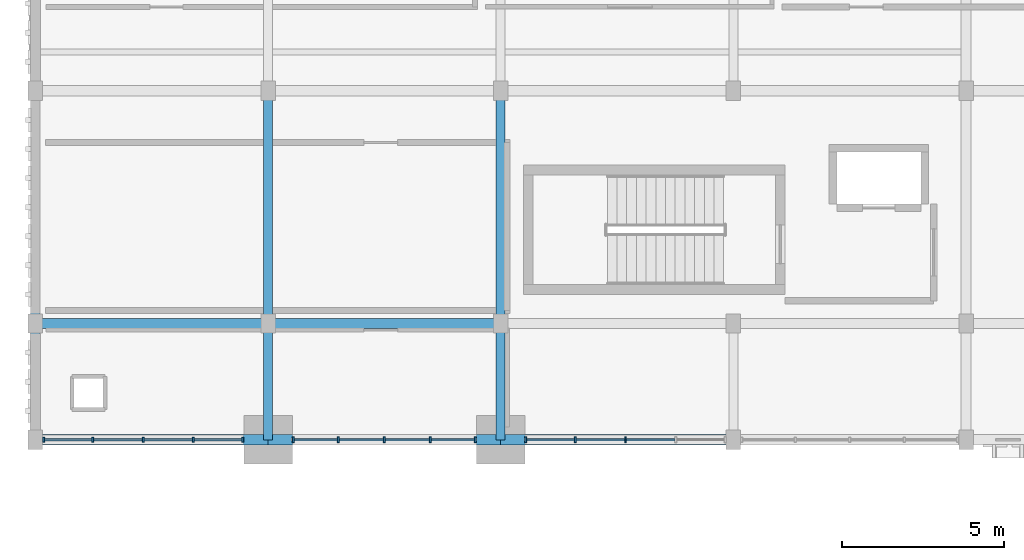
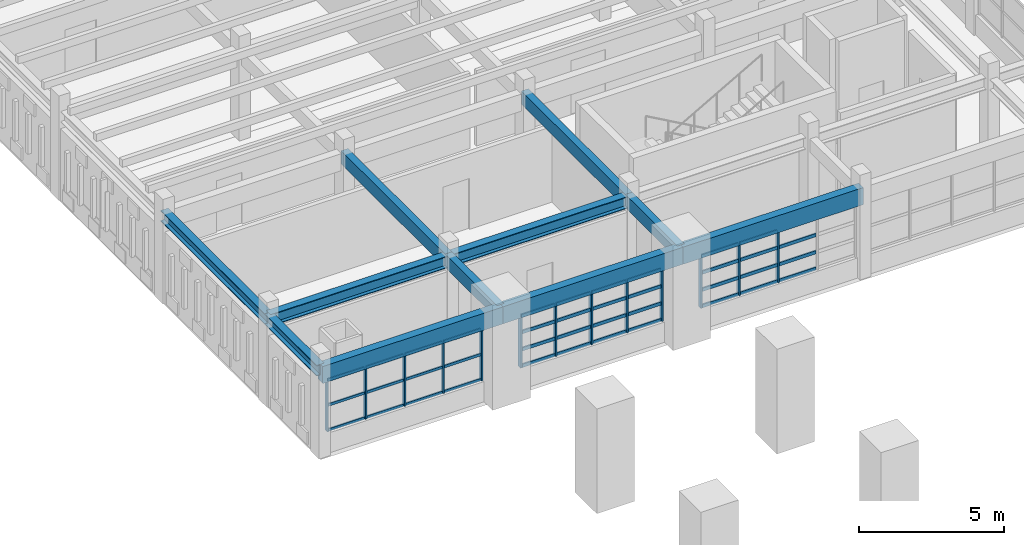
# One storey, part 12 of 69: 52 members, 11 beams, 3 elements without a shape of their own.
"""IFC4 building model written with IfcOpenShell, lengths in metres."""

from ifc_helpers import new_model, si_unit, direction, frame, origin, origin_2d, place, context, subcontext, project, spatial, rectangle, i_section, extrude, material, material_profile, profile_set, type_object, element, aggregate, save


model = new_model("IFC4")

# Units and contexts
model_context = context("Model", 3, precision=1e-05, world=origin(), true_north=direction((0.0, 1.0)))
body_context = subcontext(model_context, "Body", "Model", "MODEL_VIEW")
ifc_project = project(units=[si_unit("LENGTHUNIT", "METRE"), si_unit("AREAUNIT", "SQUARE_METRE"), si_unit("VOLUMEUNIT", "CUBIC_METRE"), si_unit("PLANEANGLEUNIT", "RADIAN"), si_unit("MASSUNIT", "GRAM", prefix="KILO")], contexts=[model_context])

# Site, building, storey
site_placement = place(None, origin())
site = spatial("IfcSite", under=ifc_project, at=site_placement, CompositionType="ELEMENT")
building_placement = place(site_placement, origin())
building = spatial("IfcBuilding", under=site, at=building_placement, Name="Nzembalo Square Collegiate School", CompositionType="ELEMENT")
storey_placement = place(building_placement, frame((0.0, 0.0, 5.10009765625)))
storey = spatial("IfcBuildingStorey", under=building, at=storey_placement, Name="L01", CompositionType="ELEMENT", Elevation=5.10009765625)

# Beams
ifc_material_1 = material(Name="Glulam GL32h", Category="wood")
ifc_material_profile_1 = material_profile(ifc_material_1, rectangle(XDim=0.320068359375, YDim=0.719970703125, at=origin_2d()), Name="GL32h 320x720")
ifc_profile_set_1 = profile_set([ifc_material_profile_1], Name="Glulam GL32h")
beam_type_1 = type_object("IfcBeamType", Name="B03", PredefinedType="BEAM", material=ifc_profile_set_1)
beam_1_placement = place(storey_placement, frame((8.39990234375, 79.199951171875, 3.389892578125), z_axis=(1.0, 0.0, 0.0), x_axis=(0.0, 1.0, 0.0)))
element("IfcBeam", 1, at=beam_1_placement, inside=storey, type_object=beam_type_1, Name="Beam B03 L01", PredefinedType="BEAM", context=body_context, shape_type="SweptSolid", body=[
    extrude(rectangle(XDim=0.320068359375, YDim=0.719970703125, at=origin_2d()), origin(), (0.0, 0.0, 1.0), 7.2001953125),
])
for number, where, z_axis, x_axis, name in (
    (2, (15.60009765625, 79.199951171875, 3.389892578125), (1.0, 0.0, 0.0), (0.0, 1.0, 0.0), "Beam B03 L01"),
    (3, (22.800048828125, 79.199951171875, 3.389892578125), (1.0, 0.0, 0.0), (0.0, 1.0, 0.0), "Beam B03 L01"),
):
    element("IfcBeam", number, at=place(storey_placement, frame(where, z_axis=z_axis, x_axis=x_axis)), inside=storey, type_object=beam_type_1, Name=name, PredefinedType="BEAM", context=body_context, shape_type="SweptSolid", body=[
        extrude(rectangle(XDim=0.320068359375, YDim=0.719970703125, at=origin_2d()), origin(), (0.0, 0.0, 1.0), 7.199951171875),
    ])
ifc_material_2 = material(Name="Glulam GL28h", Category="wood")
ifc_material_profile_2 = material_profile(ifc_material_2, rectangle(XDim=0.280029296875, YDim=0.56005859375, at=origin_2d()), Name="GL28h 280x560")
ifc_profile_set_2 = profile_set([ifc_material_profile_2], Name="Glulam GL28h")
beam_type_2 = type_object("IfcBeamType", Name="B05", PredefinedType="BEAM", material=ifc_profile_set_2)
beam_2_placement = place(storey_placement, frame((15.60009765625, 79.199951171875, 3.469970703125), z_axis=(0.0, 1.0, 0.0), x_axis=(-1.0, 0.0, 0.0)))
element("IfcBeam", 4, at=beam_2_placement, inside=storey, type_object=beam_type_2, Name="Beam B05 L01", PredefinedType="BEAM", context=body_context, shape_type="SweptSolid", body=[
    extrude(rectangle(XDim=0.280029296875, YDim=0.56005859375, at=origin_2d()), origin(), (0.0, 0.0, 1.0), 3.60009765625),
])
beam_3_placement = place(storey_placement, frame((15.60009765625, 82.800048828125, 3.469970703125), z_axis=(0.0, 1.0, 0.0), x_axis=(-1.0, 0.0, 0.0)))
element("IfcBeam", 5, at=beam_3_placement, inside=storey, type_object=beam_type_2, Name="Beam B05 L01", PredefinedType="BEAM", context=body_context, shape_type="SweptSolid", body=[
    extrude(rectangle(XDim=0.280029296875, YDim=0.56005859375, at=origin_2d()), origin(), (0.0, 0.0, 1.0), 7.199951171875),
])
beam_4_placement = place(storey_placement, frame((22.800048828125, 79.199951171875, 3.469970703125), z_axis=(0.0, 1.0, 0.0), x_axis=(-1.0, 0.0, 0.0)))
element("IfcBeam", 6, at=beam_4_placement, inside=storey, type_object=beam_type_2, Name="Beam B05 L01", PredefinedType="BEAM", context=body_context, shape_type="SweptSolid", body=[
    extrude(rectangle(XDim=0.280029296875, YDim=0.56005859375, at=origin_2d()), origin(), (0.0, 0.0, 1.0), 3.60009765625),
])
beam_5_placement = place(storey_placement, frame((22.800048828125, 82.800048828125, 3.469970703125), z_axis=(0.0, 1.0, 0.0), x_axis=(-1.0, 0.0, 0.0)))
element("IfcBeam", 7, at=beam_5_placement, inside=storey, type_object=beam_type_2, Name="Beam B05 L01", PredefinedType="BEAM", context=body_context, shape_type="SweptSolid", body=[
    extrude(rectangle(XDim=0.280029296875, YDim=0.56005859375, at=origin_2d()), origin(), (0.0, 0.0, 1.0), 7.199951171875),
])
ifc_material_3 = material(Name="Steel S355", Category="steel")
ifc_material_profile_3 = material_profile(ifc_material_3, i_section(OverallWidth=0.300048828125, OverallDepth=0.5, WebThickness=0.014404296875, FlangeThickness=0.028076171875, at=origin_2d()), Name="HEB 500")
ifc_profile_set_3 = profile_set([ifc_material_profile_3], Name="Steel S355")
beam_type_3 = type_object("IfcBeamType", Name="B07", PredefinedType="BEAM", material=ifc_profile_set_3)
beam_6_placement = place(storey_placement, frame((8.39990234375, 82.800048828125, 3.5), z_axis=(1.0, 0.0, 0.0), x_axis=(0.0, 1.0, 0.0)))
element("IfcBeam", 8, at=beam_6_placement, inside=storey, type_object=beam_type_3, Name="Beam B07 L01", PredefinedType="BEAM", context=body_context, shape_type="SweptSolid", body=[
    extrude(i_section(OverallWidth=0.300048828125, OverallDepth=0.5, WebThickness=0.014404296875, FlangeThickness=0.028076171875, at=origin_2d()), origin(), (0.0, 0.0, 1.0), 7.2001953125),
])
beam_7_placement = place(storey_placement, frame((15.60009765625, 82.800048828125, 3.5), z_axis=(1.0, 0.0, 0.0), x_axis=(0.0, 1.0, 0.0)))
element("IfcBeam", 9, at=beam_7_placement, inside=storey, type_object=beam_type_3, Name="Beam B07 L01", PredefinedType="BEAM", context=body_context, shape_type="SweptSolid", body=[
    extrude(i_section(OverallWidth=0.300048828125, OverallDepth=0.5, WebThickness=0.014404296875, FlangeThickness=0.028076171875, at=origin_2d()), origin(), (0.0, 0.0, 1.0), 7.199951171875),
])
ifc_material_4 = material(Name="Steel S355", Category="steel")
ifc_material_profile_4 = material_profile(ifc_material_4, i_section(OverallWidth=0.300048828125, OverallDepth=0.449951171875, WebThickness=0.013916015625, FlangeThickness=0.02587890625, at=origin_2d()), Name="HEB 450")
ifc_profile_set_4 = profile_set([ifc_material_profile_4], Name="Steel S355")
beam_type_4 = type_object("IfcBeamType", Name="B08", PredefinedType="BEAM", material=ifc_profile_set_4)
beam_8_placement = place(storey_placement, frame((8.39990234375, 79.199951171875, 3.52490234375), z_axis=(0.0, 1.0, 0.0), x_axis=(-1.0, 0.0, 0.0)))
element("IfcBeam", 10, at=beam_8_placement, inside=storey, type_object=beam_type_4, Name="Beam B08 L01", PredefinedType="BEAM", context=body_context, shape_type="SweptSolid", body=[
    extrude(i_section(OverallWidth=0.300048828125, OverallDepth=0.449951171875, WebThickness=0.013916015625, FlangeThickness=0.02587890625, at=origin_2d()), origin(), (0.0, 0.0, 1.0), 3.60009765625),
])
beam_9_placement = place(storey_placement, frame((8.39990234375, 82.800048828125, 3.52490234375), z_axis=(0.0, 1.0, 0.0), x_axis=(-1.0, 0.0, 0.0)))
element("IfcBeam", 11, at=beam_9_placement, inside=storey, type_object=beam_type_4, Name="Beam B08 L01", PredefinedType="BEAM", context=body_context, shape_type="SweptSolid", body=[
    extrude(i_section(OverallWidth=0.300048828125, OverallDepth=0.449951171875, WebThickness=0.013916015625, FlangeThickness=0.02587890625, at=origin_2d()), origin(), (0.0, 0.0, 1.0), 7.199951171875),
])

# Curtain wall, members
ifc_material_5 = material(Name="Aluminium 6060-T66", Category="aluminium")
curtain_wall_type_1 = type_object("IfcCurtainWallType", Name="CW-01", PredefinedType="USERDEFINED", material=ifc_material_5)
curtain_wall_1_placement = place(storey_placement, origin())
curtain_wall_1 = element("IfcCurtainWall", 12, at=curtain_wall_1_placement, inside=storey, type_object=curtain_wall_type_1, Name="Curtain wall CW-01 cw:L01:064", ObjectType="UNITISED", PredefinedType="USERDEFINED")
ifc_material_6 = material(Name="Aluminium 6060-T66", Category="aluminium")
ifc_material_profile_5 = material_profile(ifc_material_6, rectangle(XDim=0.06005859375, YDim=0.179931640625, at=origin_2d()), Name="ALU M60x180")
ifc_profile_set_5 = profile_set([ifc_material_profile_5], Name="Aluminium 6060-T66")
member_type_1 = type_object("IfcMemberType", Name="ML01", PredefinedType="MULLION", material=ifc_profile_set_5)
member_1_placement = place(storey_placement, frame((16.382080078125, 79.199951171875, 0.849853515625), z_axis=(0.0, 0.0, 1.0), x_axis=(1.0, 0.0, 0.0)))
member_1 = element("IfcMember", 13, at=member_1_placement, type_object=member_type_1, Name="ML01 mullion 1", PredefinedType="MULLION", context=body_context, shape_type="SweptSolid", body=[
    extrude(rectangle(XDim=0.06005859375, YDim=0.179931640625, at=origin_2d()), origin(), (0.0, 0.0, 1.0), 2.174072265625),
])
member_2_placement = place(storey_placement, frame((17.77587890625, 79.199951171875, 0.849853515625), z_axis=(0.0, 0.0, 1.0), x_axis=(1.0, 0.0, 0.0)))
member_2 = element("IfcMember", 14, at=member_2_placement, type_object=member_type_1, Name="ML01 mullion 2", PredefinedType="MULLION", context=body_context, shape_type="SweptSolid", body=[
    extrude(rectangle(XDim=0.06005859375, YDim=0.179931640625, at=origin_2d()), origin(), (0.0, 0.0, 1.0), 2.174072265625),
])
member_3_placement = place(storey_placement, frame((19.199951171875, 79.199951171875, 0.849853515625), z_axis=(0.0, 0.0, 1.0), x_axis=(1.0, 0.0, 0.0)))
member_3 = element("IfcMember", 15, at=member_3_placement, type_object=member_type_1, Name="ML01 mullion 3", PredefinedType="MULLION", context=body_context, shape_type="SweptSolid", body=[
    extrude(rectangle(XDim=0.06005859375, YDim=0.179931640625, at=origin_2d()), origin(), (0.0, 0.0, 1.0), 2.174072265625),
])
member_4_placement = place(storey_placement, frame((20.6240234375, 79.199951171875, 0.849853515625), z_axis=(0.0, 0.0, 1.0), x_axis=(1.0, 0.0, 0.0)))
member_4 = element("IfcMember", 16, at=member_4_placement, type_object=member_type_1, Name="ML01 mullion 4", PredefinedType="MULLION", context=body_context, shape_type="SweptSolid", body=[
    extrude(rectangle(XDim=0.06005859375, YDim=0.179931640625, at=origin_2d()), origin(), (0.0, 0.0, 1.0), 2.174072265625),
])
member_5_placement = place(storey_placement, frame((22.01806640625, 79.199951171875, 0.849853515625), z_axis=(0.0, 0.0, 1.0), x_axis=(1.0, 0.0, 0.0)))
member_5 = element("IfcMember", 17, at=member_5_placement, type_object=member_type_1, Name="ML01 mullion 5", PredefinedType="MULLION", context=body_context, shape_type="SweptSolid", body=[
    extrude(rectangle(XDim=0.06005859375, YDim=0.179931640625, at=origin_2d()), origin(), (0.0, 0.0, 1.0), 2.174072265625),
])

ifc_material_7 = material(Name="Aluminium 6060-T66", Category="aluminium")
curtain_wall_type_2 = type_object("IfcCurtainWallType", Name="CW-02", PredefinedType="USERDEFINED", material=ifc_material_7)
curtain_wall_2_placement = place(storey_placement, origin())
curtain_wall_2 = element("IfcCurtainWall", 18, at=curtain_wall_2_placement, inside=storey, type_object=curtain_wall_type_2, Name="Curtain wall CW-02 cw:L01:065", ObjectType="UNITISED", PredefinedType="USERDEFINED")
member_6_placement = place(storey_placement, frame((23.58203125, 79.199951171875, 0.849853515625), z_axis=(0.0, 0.0, 1.0), x_axis=(1.0, 0.0, 0.0)))
member_6 = element("IfcMember", 19, at=member_6_placement, type_object=member_type_1, Name="ML01 mullion 1", PredefinedType="MULLION", context=body_context, shape_type="SweptSolid", body=[
    extrude(rectangle(XDim=0.06005859375, YDim=0.179931640625, at=origin_2d()), origin(), (0.0, 0.0, 1.0), 2.174072265625),
])
member_7_placement = place(storey_placement, frame((25.107177734375, 79.199951171875, 0.849853515625), z_axis=(0.0, 0.0, 1.0), x_axis=(1.0, 0.0, 0.0)))
member_7 = element("IfcMember", 20, at=member_7_placement, type_object=member_type_1, Name="ML01 mullion 2", PredefinedType="MULLION", context=body_context, shape_type="SweptSolid", body=[
    extrude(rectangle(XDim=0.06005859375, YDim=0.179931640625, at=origin_2d()), origin(), (0.0, 0.0, 1.0), 2.174072265625),
])
member_8_placement = place(storey_placement, frame((26.66259765625, 79.199951171875, 0.849853515625), z_axis=(0.0, 0.0, 1.0), x_axis=(1.0, 0.0, 0.0)))
member_8 = element("IfcMember", 21, at=member_8_placement, type_object=member_type_1, Name="ML01 mullion 3", PredefinedType="MULLION", context=body_context, shape_type="SweptSolid", body=[
    extrude(rectangle(XDim=0.06005859375, YDim=0.179931640625, at=origin_2d()), origin(), (0.0, 0.0, 1.0), 2.174072265625),
])

ifc_material_8 = material(Name="Aluminium 6060-T66", Category="aluminium")
curtain_wall_type_3 = type_object("IfcCurtainWallType", Name="CW-08", PredefinedType="USERDEFINED", material=ifc_material_8)
curtain_wall_3_placement = place(storey_placement, origin())
curtain_wall_3 = element("IfcCurtainWall", 22, at=curtain_wall_3_placement, inside=storey, type_object=curtain_wall_type_3, Name="Curtain wall CW-08 cw:L01:063", ObjectType="LANCET", PredefinedType="USERDEFINED")
ifc_material_9 = material(Name="Aluminium 6060-T66", Category="aluminium")
ifc_material_profile_6 = material_profile(ifc_material_9, rectangle(XDim=0.06005859375, YDim=0.14990234375, at=origin_2d()), Name="ALU M60x150")
ifc_profile_set_6 = profile_set([ifc_material_profile_6], Name="Aluminium 6060-T66")
member_type_2 = type_object("IfcMemberType", Name="ML02", PredefinedType="MULLION", material=ifc_profile_set_6)
member_9_placement = place(storey_placement, frame((8.656982421875, 79.199951171875, 0.849853515625), z_axis=(0.0, 0.0, 1.0), x_axis=(1.0, 0.0, 0.0)))
member_9 = element("IfcMember", 23, at=member_9_placement, type_object=member_type_2, Name="ML02 mullion 1", PredefinedType="MULLION", context=body_context, shape_type="SweptSolid", body=[
    extrude(rectangle(XDim=0.06005859375, YDim=0.14990234375, at=origin_2d()), origin(), (0.0, 0.0, 1.0), 2.174072265625),
])
member_10_placement = place(storey_placement, frame((10.18212890625, 79.199951171875, 0.849853515625), z_axis=(0.0, 0.0, 1.0), x_axis=(1.0, 0.0, 0.0)))
member_10 = element("IfcMember", 24, at=member_10_placement, type_object=member_type_2, Name="ML02 mullion 2", PredefinedType="MULLION", context=body_context, shape_type="SweptSolid", body=[
    extrude(rectangle(XDim=0.06005859375, YDim=0.14990234375, at=origin_2d()), origin(), (0.0, 0.0, 1.0), 2.174072265625),
])
member_11_placement = place(storey_placement, frame((11.737548828125, 79.199951171875, 0.849853515625), z_axis=(0.0, 0.0, 1.0), x_axis=(1.0, 0.0, 0.0)))
member_11 = element("IfcMember", 25, at=member_11_placement, type_object=member_type_2, Name="ML02 mullion 3", PredefinedType="MULLION", context=body_context, shape_type="SweptSolid", body=[
    extrude(rectangle(XDim=0.06005859375, YDim=0.14990234375, at=origin_2d()), origin(), (0.0, 0.0, 1.0), 2.174072265625),
])
member_12_placement = place(storey_placement, frame((13.292724609375, 79.199951171875, 0.849853515625), z_axis=(0.0, 0.0, 1.0), x_axis=(1.0, 0.0, 0.0)))
member_12 = element("IfcMember", 26, at=member_12_placement, type_object=member_type_2, Name="ML02 mullion 4", PredefinedType="MULLION", context=body_context, shape_type="SweptSolid", body=[
    extrude(rectangle(XDim=0.06005859375, YDim=0.14990234375, at=origin_2d()), origin(), (0.0, 0.0, 1.0), 2.174072265625),
])
member_13_placement = place(storey_placement, frame((14.818115234375, 79.199951171875, 0.849853515625), z_axis=(0.0, 0.0, 1.0), x_axis=(1.0, 0.0, 0.0)))
member_13 = element("IfcMember", 27, at=member_13_placement, type_object=member_type_2, Name="ML02 mullion 5", PredefinedType="MULLION", context=body_context, shape_type="SweptSolid", body=[
    extrude(rectangle(XDim=0.06005859375, YDim=0.14990234375, at=origin_2d()), origin(), (0.0, 0.0, 1.0), 2.174072265625),
])

# Member
ifc_material_10 = material(Name="Aluminium 6060-T66", Category="aluminium")
ifc_material_profile_7 = material_profile(ifc_material_10, rectangle(XDim=0.06005859375, YDim=0.139892578125, at=origin_2d()), Name="ALU T60x140")
ifc_profile_set_7 = profile_set([ifc_material_profile_7], Name="Aluminium 6060-T66")
member_type_3 = type_object("IfcMemberType", Name="TR01", PredefinedType="USERDEFINED", material=ifc_profile_set_7)
member_14_placement = place(storey_placement, frame((16.412109375, 79.199951171875, 0.8798828125), z_axis=(1.0, 0.0, 0.0), x_axis=(0.0, 1.0, 0.0)))
member_14 = element("IfcMember", 28, at=member_14_placement, type_object=member_type_3, Name="TR01 transom 1-1", ObjectType="TRANSOM", PredefinedType="USERDEFINED", context=body_context, shape_type="SweptSolid", body=[
    extrude(rectangle(XDim=0.06005859375, YDim=0.139892578125, at=origin_2d()), origin(), (0.0, 0.0, 1.0), 1.333984375),
])

member_15_placement = place(storey_placement, frame((17.805908203125, 79.199951171875, 0.8798828125), z_axis=(1.0, 0.0, 0.0), x_axis=(0.0, 1.0, 0.0)))
member_15 = element("IfcMember", 29, at=member_15_placement, type_object=member_type_3, Name="TR01 transom 1-2", ObjectType="TRANSOM", PredefinedType="USERDEFINED", context=body_context, shape_type="SweptSolid", body=[
    extrude(rectangle(XDim=0.06005859375, YDim=0.139892578125, at=origin_2d()), origin(), (0.0, 0.0, 1.0), 1.364013671875),
])

member_16_placement = place(storey_placement, frame((19.22998046875, 79.199951171875, 0.8798828125), z_axis=(1.0, 0.0, 0.0), x_axis=(0.0, 1.0, 0.0)))
member_16 = element("IfcMember", 30, at=member_16_placement, type_object=member_type_3, Name="TR01 transom 1-3", ObjectType="TRANSOM", PredefinedType="USERDEFINED", context=body_context, shape_type="SweptSolid", body=[
    extrude(rectangle(XDim=0.06005859375, YDim=0.139892578125, at=origin_2d()), origin(), (0.0, 0.0, 1.0), 1.364013671875),
])

member_17_placement = place(storey_placement, frame((20.654052734375, 79.199951171875, 0.8798828125), z_axis=(1.0, 0.0, 0.0), x_axis=(0.0, 1.0, 0.0)))
member_17 = element("IfcMember", 31, at=member_17_placement, type_object=member_type_3, Name="TR01 transom 1-4", ObjectType="TRANSOM", PredefinedType="USERDEFINED", context=body_context, shape_type="SweptSolid", body=[
    extrude(rectangle(XDim=0.06005859375, YDim=0.139892578125, at=origin_2d()), origin(), (0.0, 0.0, 1.0), 1.333984375),
])

member_18_placement = place(storey_placement, frame((16.412109375, 79.199951171875, 1.574462890625), z_axis=(1.0, 0.0, 0.0), x_axis=(0.0, 1.0, 0.0)))
member_18 = element("IfcMember", 32, at=member_18_placement, type_object=member_type_3, Name="TR01 transom 2-1", ObjectType="TRANSOM", PredefinedType="USERDEFINED", context=body_context, shape_type="SweptSolid", body=[
    extrude(rectangle(XDim=0.06005859375, YDim=0.139892578125, at=origin_2d()), origin(), (0.0, 0.0, 1.0), 1.333984375),
])

member_19_placement = place(storey_placement, frame((17.805908203125, 79.199951171875, 1.574462890625), z_axis=(1.0, 0.0, 0.0), x_axis=(0.0, 1.0, 0.0)))
member_19 = element("IfcMember", 33, at=member_19_placement, type_object=member_type_3, Name="TR01 transom 2-2", ObjectType="TRANSOM", PredefinedType="USERDEFINED", context=body_context, shape_type="SweptSolid", body=[
    extrude(rectangle(XDim=0.06005859375, YDim=0.139892578125, at=origin_2d()), origin(), (0.0, 0.0, 1.0), 1.364013671875),
])

member_20_placement = place(storey_placement, frame((19.22998046875, 79.199951171875, 1.574462890625), z_axis=(1.0, 0.0, 0.0), x_axis=(0.0, 1.0, 0.0)))
member_20 = element("IfcMember", 34, at=member_20_placement, type_object=member_type_3, Name="TR01 transom 2-3", ObjectType="TRANSOM", PredefinedType="USERDEFINED", context=body_context, shape_type="SweptSolid", body=[
    extrude(rectangle(XDim=0.06005859375, YDim=0.139892578125, at=origin_2d()), origin(), (0.0, 0.0, 1.0), 1.364013671875),
])

member_21_placement = place(storey_placement, frame((20.654052734375, 79.199951171875, 1.574462890625), z_axis=(1.0, 0.0, 0.0), x_axis=(0.0, 1.0, 0.0)))
member_21 = element("IfcMember", 35, at=member_21_placement, type_object=member_type_3, Name="TR01 transom 2-4", ObjectType="TRANSOM", PredefinedType="USERDEFINED", context=body_context, shape_type="SweptSolid", body=[
    extrude(rectangle(XDim=0.06005859375, YDim=0.139892578125, at=origin_2d()), origin(), (0.0, 0.0, 1.0), 1.333984375),
])

member_22_placement = place(storey_placement, frame((16.412109375, 79.199951171875, 2.29931640625), z_axis=(1.0, 0.0, 0.0), x_axis=(0.0, 1.0, 0.0)))
member_22 = element("IfcMember", 36, at=member_22_placement, type_object=member_type_3, Name="TR01 transom 3-1", ObjectType="TRANSOM", PredefinedType="USERDEFINED", context=body_context, shape_type="SweptSolid", body=[
    extrude(rectangle(XDim=0.06005859375, YDim=0.139892578125, at=origin_2d()), origin(), (0.0, 0.0, 1.0), 1.333984375),
])

member_23_placement = place(storey_placement, frame((17.805908203125, 79.199951171875, 2.29931640625), z_axis=(1.0, 0.0, 0.0), x_axis=(0.0, 1.0, 0.0)))
member_23 = element("IfcMember", 37, at=member_23_placement, type_object=member_type_3, Name="TR01 transom 3-2", ObjectType="TRANSOM", PredefinedType="USERDEFINED", context=body_context, shape_type="SweptSolid", body=[
    extrude(rectangle(XDim=0.06005859375, YDim=0.139892578125, at=origin_2d()), origin(), (0.0, 0.0, 1.0), 1.364013671875),
])

member_24_placement = place(storey_placement, frame((19.22998046875, 79.199951171875, 2.29931640625), z_axis=(1.0, 0.0, 0.0), x_axis=(0.0, 1.0, 0.0)))
member_24 = element("IfcMember", 38, at=member_24_placement, type_object=member_type_3, Name="TR01 transom 3-3", ObjectType="TRANSOM", PredefinedType="USERDEFINED", context=body_context, shape_type="SweptSolid", body=[
    extrude(rectangle(XDim=0.06005859375, YDim=0.139892578125, at=origin_2d()), origin(), (0.0, 0.0, 1.0), 1.364013671875),
])

member_25_placement = place(storey_placement, frame((20.654052734375, 79.199951171875, 2.29931640625), z_axis=(1.0, 0.0, 0.0), x_axis=(0.0, 1.0, 0.0)))
member_25 = element("IfcMember", 39, at=member_25_placement, type_object=member_type_3, Name="TR01 transom 3-4", ObjectType="TRANSOM", PredefinedType="USERDEFINED", context=body_context, shape_type="SweptSolid", body=[
    extrude(rectangle(XDim=0.06005859375, YDim=0.139892578125, at=origin_2d()), origin(), (0.0, 0.0, 1.0), 1.333984375),
])

member_26_placement = place(storey_placement, frame((16.412109375, 79.199951171875, 2.993896484375), z_axis=(1.0, 0.0, 0.0), x_axis=(0.0, 1.0, 0.0)))
member_26 = element("IfcMember", 40, at=member_26_placement, type_object=member_type_3, Name="TR01 transom 4-1", ObjectType="TRANSOM", PredefinedType="USERDEFINED", context=body_context, shape_type="SweptSolid", body=[
    extrude(rectangle(XDim=0.06005859375, YDim=0.139892578125, at=origin_2d()), origin(), (0.0, 0.0, 1.0), 1.333984375),
])

member_27_placement = place(storey_placement, frame((17.805908203125, 79.199951171875, 2.993896484375), z_axis=(1.0, 0.0, 0.0), x_axis=(0.0, 1.0, 0.0)))
member_27 = element("IfcMember", 41, at=member_27_placement, type_object=member_type_3, Name="TR01 transom 4-2", ObjectType="TRANSOM", PredefinedType="USERDEFINED", context=body_context, shape_type="SweptSolid", body=[
    extrude(rectangle(XDim=0.06005859375, YDim=0.139892578125, at=origin_2d()), origin(), (0.0, 0.0, 1.0), 1.364013671875),
])

member_28_placement = place(storey_placement, frame((19.22998046875, 79.199951171875, 2.993896484375), z_axis=(1.0, 0.0, 0.0), x_axis=(0.0, 1.0, 0.0)))
member_28 = element("IfcMember", 42, at=member_28_placement, type_object=member_type_3, Name="TR01 transom 4-3", ObjectType="TRANSOM", PredefinedType="USERDEFINED", context=body_context, shape_type="SweptSolid", body=[
    extrude(rectangle(XDim=0.06005859375, YDim=0.139892578125, at=origin_2d()), origin(), (0.0, 0.0, 1.0), 1.364013671875),
])

member_29_placement = place(storey_placement, frame((20.654052734375, 79.199951171875, 2.993896484375), z_axis=(1.0, 0.0, 0.0), x_axis=(0.0, 1.0, 0.0)))
member_29 = element("IfcMember", 43, at=member_29_placement, type_object=member_type_3, Name="TR01 transom 4-4", ObjectType="TRANSOM", PredefinedType="USERDEFINED", context=body_context, shape_type="SweptSolid", body=[
    extrude(rectangle(XDim=0.06005859375, YDim=0.139892578125, at=origin_2d()), origin(), (0.0, 0.0, 1.0), 1.333984375),
])

aggregate(curtain_wall_1, [member_1, member_2, member_3, member_4, member_5, member_14, member_15, member_16, member_17, member_18, member_19, member_20, member_21, member_22, member_23, member_24, member_25, member_26, member_27, member_28, member_29])

member_30_placement = place(storey_placement, frame((23.612060546875, 79.199951171875, 0.8798828125), z_axis=(1.0, 0.0, 0.0), x_axis=(0.0, 1.0, 0.0)))
member_30 = element("IfcMember", 44, at=member_30_placement, type_object=member_type_3, Name="TR01 transom 1-1", ObjectType="TRANSOM", PredefinedType="USERDEFINED", context=body_context, shape_type="SweptSolid", body=[
    extrude(rectangle(XDim=0.06005859375, YDim=0.139892578125, at=origin_2d()), origin(), (0.0, 0.0, 1.0), 1.465087890625),
])

member_31_placement = place(storey_placement, frame((25.13720703125, 79.199951171875, 0.8798828125), z_axis=(1.0, 0.0, 0.0), x_axis=(0.0, 1.0, 0.0)))
member_31 = element("IfcMember", 45, at=member_31_placement, type_object=member_type_3, Name="TR01 transom 1-2", ObjectType="TRANSOM", PredefinedType="USERDEFINED", context=body_context, shape_type="SweptSolid", body=[
    extrude(rectangle(XDim=0.06005859375, YDim=0.139892578125, at=origin_2d()), origin(), (0.0, 0.0, 1.0), 1.495361328125),
])

member_32_placement = place(storey_placement, frame((26.6923828125, 79.199951171875, 0.8798828125), z_axis=(1.0, 0.0, 0.0), x_axis=(0.0, 1.0, 0.0)))
member_32 = element("IfcMember", 46, at=member_32_placement, type_object=member_type_3, Name="TR01 transom 1-3", ObjectType="TRANSOM", PredefinedType="USERDEFINED", context=body_context, shape_type="SweptSolid", body=[
    extrude(rectangle(XDim=0.06005859375, YDim=0.139892578125, at=origin_2d()), origin(), (0.0, 0.0, 1.0), 1.495361328125),
])

member_33_placement = place(storey_placement, frame((23.612060546875, 79.199951171875, 1.574462890625), z_axis=(1.0, 0.0, 0.0), x_axis=(0.0, 1.0, 0.0)))
member_33 = element("IfcMember", 47, at=member_33_placement, type_object=member_type_3, Name="TR01 transom 2-1", ObjectType="TRANSOM", PredefinedType="USERDEFINED", context=body_context, shape_type="SweptSolid", body=[
    extrude(rectangle(XDim=0.06005859375, YDim=0.139892578125, at=origin_2d()), origin(), (0.0, 0.0, 1.0), 1.465087890625),
])

member_34_placement = place(storey_placement, frame((25.13720703125, 79.199951171875, 1.574462890625), z_axis=(1.0, 0.0, 0.0), x_axis=(0.0, 1.0, 0.0)))
member_34 = element("IfcMember", 48, at=member_34_placement, type_object=member_type_3, Name="TR01 transom 2-2", ObjectType="TRANSOM", PredefinedType="USERDEFINED", context=body_context, shape_type="SweptSolid", body=[
    extrude(rectangle(XDim=0.06005859375, YDim=0.139892578125, at=origin_2d()), origin(), (0.0, 0.0, 1.0), 1.495361328125),
])

member_35_placement = place(storey_placement, frame((26.6923828125, 79.199951171875, 1.574462890625), z_axis=(1.0, 0.0, 0.0), x_axis=(0.0, 1.0, 0.0)))
member_35 = element("IfcMember", 49, at=member_35_placement, type_object=member_type_3, Name="TR01 transom 2-3", ObjectType="TRANSOM", PredefinedType="USERDEFINED", context=body_context, shape_type="SweptSolid", body=[
    extrude(rectangle(XDim=0.06005859375, YDim=0.139892578125, at=origin_2d()), origin(), (0.0, 0.0, 1.0), 1.495361328125),
])

member_36_placement = place(storey_placement, frame((23.612060546875, 79.199951171875, 2.29931640625), z_axis=(1.0, 0.0, 0.0), x_axis=(0.0, 1.0, 0.0)))
member_36 = element("IfcMember", 50, at=member_36_placement, type_object=member_type_3, Name="TR01 transom 3-1", ObjectType="TRANSOM", PredefinedType="USERDEFINED", context=body_context, shape_type="SweptSolid", body=[
    extrude(rectangle(XDim=0.06005859375, YDim=0.139892578125, at=origin_2d()), origin(), (0.0, 0.0, 1.0), 1.465087890625),
])

member_37_placement = place(storey_placement, frame((25.13720703125, 79.199951171875, 2.29931640625), z_axis=(1.0, 0.0, 0.0), x_axis=(0.0, 1.0, 0.0)))
member_37 = element("IfcMember", 51, at=member_37_placement, type_object=member_type_3, Name="TR01 transom 3-2", ObjectType="TRANSOM", PredefinedType="USERDEFINED", context=body_context, shape_type="SweptSolid", body=[
    extrude(rectangle(XDim=0.06005859375, YDim=0.139892578125, at=origin_2d()), origin(), (0.0, 0.0, 1.0), 1.495361328125),
])

member_38_placement = place(storey_placement, frame((26.6923828125, 79.199951171875, 2.29931640625), z_axis=(1.0, 0.0, 0.0), x_axis=(0.0, 1.0, 0.0)))
member_38 = element("IfcMember", 52, at=member_38_placement, type_object=member_type_3, Name="TR01 transom 3-3", ObjectType="TRANSOM", PredefinedType="USERDEFINED", context=body_context, shape_type="SweptSolid", body=[
    extrude(rectangle(XDim=0.06005859375, YDim=0.139892578125, at=origin_2d()), origin(), (0.0, 0.0, 1.0), 1.495361328125),
])

member_39_placement = place(storey_placement, frame((23.612060546875, 79.199951171875, 2.993896484375), z_axis=(1.0, 0.0, 0.0), x_axis=(0.0, 1.0, 0.0)))
member_39 = element("IfcMember", 53, at=member_39_placement, type_object=member_type_3, Name="TR01 transom 4-1", ObjectType="TRANSOM", PredefinedType="USERDEFINED", context=body_context, shape_type="SweptSolid", body=[
    extrude(rectangle(XDim=0.06005859375, YDim=0.139892578125, at=origin_2d()), origin(), (0.0, 0.0, 1.0), 1.465087890625),
])

member_40_placement = place(storey_placement, frame((25.13720703125, 79.199951171875, 2.993896484375), z_axis=(1.0, 0.0, 0.0), x_axis=(0.0, 1.0, 0.0)))
member_40 = element("IfcMember", 54, at=member_40_placement, type_object=member_type_3, Name="TR01 transom 4-2", ObjectType="TRANSOM", PredefinedType="USERDEFINED", context=body_context, shape_type="SweptSolid", body=[
    extrude(rectangle(XDim=0.06005859375, YDim=0.139892578125, at=origin_2d()), origin(), (0.0, 0.0, 1.0), 1.495361328125),
])

aggregate(curtain_wall_2, [member_6, member_7, member_8, member_30, member_31, member_32, member_33, member_34, member_35, member_36, member_37, member_38, member_39, member_40])

ifc_material_11 = material(Name="Aluminium 6060-T66", Category="aluminium")
ifc_material_profile_8 = material_profile(ifc_material_11, rectangle(XDim=0.06005859375, YDim=0.110107421875, at=origin_2d()), Name="ALU T60x110")
ifc_profile_set_8 = profile_set([ifc_material_profile_8], Name="Aluminium 6060-T66")
member_type_4 = type_object("IfcMemberType", Name="TR02", PredefinedType="USERDEFINED", material=ifc_profile_set_8)
member_41_placement = place(storey_placement, frame((8.68701171875, 79.199951171875, 0.8798828125), z_axis=(1.0, 0.0, 0.0), x_axis=(0.0, 1.0, 0.0)))
member_41 = element("IfcMember", 55, at=member_41_placement, type_object=member_type_4, Name="TR02 transom 1-1", ObjectType="TRANSOM", PredefinedType="USERDEFINED", context=body_context, shape_type="SweptSolid", body=[
    extrude(rectangle(XDim=0.06005859375, YDim=0.110107421875, at=origin_2d()), origin(), (0.0, 0.0, 1.0), 1.46533203125),
])

member_42_placement = place(storey_placement, frame((10.212158203125, 79.199951171875, 0.8798828125), z_axis=(1.0, 0.0, 0.0), x_axis=(0.0, 1.0, 0.0)))
member_42 = element("IfcMember", 56, at=member_42_placement, type_object=member_type_4, Name="TR02 transom 1-2", ObjectType="TRANSOM", PredefinedType="USERDEFINED", context=body_context, shape_type="SweptSolid", body=[
    extrude(rectangle(XDim=0.06005859375, YDim=0.110107421875, at=origin_2d()), origin(), (0.0, 0.0, 1.0), 1.495361328125),
])

member_43_placement = place(storey_placement, frame((11.767578125, 79.199951171875, 0.8798828125), z_axis=(1.0, 0.0, 0.0), x_axis=(0.0, 1.0, 0.0)))
member_43 = element("IfcMember", 57, at=member_43_placement, type_object=member_type_4, Name="TR02 transom 1-3", ObjectType="TRANSOM", PredefinedType="USERDEFINED", context=body_context, shape_type="SweptSolid", body=[
    extrude(rectangle(XDim=0.06005859375, YDim=0.110107421875, at=origin_2d()), origin(), (0.0, 0.0, 1.0), 1.4951171875),
])

member_44_placement = place(storey_placement, frame((13.32275390625, 79.199951171875, 0.8798828125), z_axis=(1.0, 0.0, 0.0), x_axis=(0.0, 1.0, 0.0)))
member_44 = element("IfcMember", 58, at=member_44_placement, type_object=member_type_4, Name="TR02 transom 1-4", ObjectType="TRANSOM", PredefinedType="USERDEFINED", context=body_context, shape_type="SweptSolid", body=[
    extrude(rectangle(XDim=0.06005859375, YDim=0.110107421875, at=origin_2d()), origin(), (0.0, 0.0, 1.0), 1.46533203125),
])

member_45_placement = place(storey_placement, frame((8.68701171875, 79.199951171875, 1.93701171875), z_axis=(1.0, 0.0, 0.0), x_axis=(0.0, 1.0, 0.0)))
member_45 = element("IfcMember", 59, at=member_45_placement, type_object=member_type_4, Name="TR02 transom 2-1", ObjectType="TRANSOM", PredefinedType="USERDEFINED", context=body_context, shape_type="SweptSolid", body=[
    extrude(rectangle(XDim=0.06005859375, YDim=0.110107421875, at=origin_2d()), origin(), (0.0, 0.0, 1.0), 1.46533203125),
])

member_46_placement = place(storey_placement, frame((10.212158203125, 79.199951171875, 1.93701171875), z_axis=(1.0, 0.0, 0.0), x_axis=(0.0, 1.0, 0.0)))
member_46 = element("IfcMember", 60, at=member_46_placement, type_object=member_type_4, Name="TR02 transom 2-2", ObjectType="TRANSOM", PredefinedType="USERDEFINED", context=body_context, shape_type="SweptSolid", body=[
    extrude(rectangle(XDim=0.06005859375, YDim=0.110107421875, at=origin_2d()), origin(), (0.0, 0.0, 1.0), 1.495361328125),
])

member_47_placement = place(storey_placement, frame((11.767578125, 79.199951171875, 1.93701171875), z_axis=(1.0, 0.0, 0.0), x_axis=(0.0, 1.0, 0.0)))
member_47 = element("IfcMember", 61, at=member_47_placement, type_object=member_type_4, Name="TR02 transom 2-3", ObjectType="TRANSOM", PredefinedType="USERDEFINED", context=body_context, shape_type="SweptSolid", body=[
    extrude(rectangle(XDim=0.06005859375, YDim=0.110107421875, at=origin_2d()), origin(), (0.0, 0.0, 1.0), 1.4951171875),
])

member_48_placement = place(storey_placement, frame((13.32275390625, 79.199951171875, 1.93701171875), z_axis=(1.0, 0.0, 0.0), x_axis=(0.0, 1.0, 0.0)))
member_48 = element("IfcMember", 62, at=member_48_placement, type_object=member_type_4, Name="TR02 transom 2-4", ObjectType="TRANSOM", PredefinedType="USERDEFINED", context=body_context, shape_type="SweptSolid", body=[
    extrude(rectangle(XDim=0.06005859375, YDim=0.110107421875, at=origin_2d()), origin(), (0.0, 0.0, 1.0), 1.46533203125),
])

member_49_placement = place(storey_placement, frame((8.68701171875, 79.199951171875, 2.993896484375), z_axis=(1.0, 0.0, 0.0), x_axis=(0.0, 1.0, 0.0)))
member_49 = element("IfcMember", 63, at=member_49_placement, type_object=member_type_4, Name="TR02 transom 3-1", ObjectType="TRANSOM", PredefinedType="USERDEFINED", context=body_context, shape_type="SweptSolid", body=[
    extrude(rectangle(XDim=0.06005859375, YDim=0.110107421875, at=origin_2d()), origin(), (0.0, 0.0, 1.0), 1.46533203125),
])

member_50_placement = place(storey_placement, frame((10.212158203125, 79.199951171875, 2.993896484375), z_axis=(1.0, 0.0, 0.0), x_axis=(0.0, 1.0, 0.0)))
member_50 = element("IfcMember", 64, at=member_50_placement, type_object=member_type_4, Name="TR02 transom 3-2", ObjectType="TRANSOM", PredefinedType="USERDEFINED", context=body_context, shape_type="SweptSolid", body=[
    extrude(rectangle(XDim=0.06005859375, YDim=0.110107421875, at=origin_2d()), origin(), (0.0, 0.0, 1.0), 1.495361328125),
])

member_51_placement = place(storey_placement, frame((11.767578125, 79.199951171875, 2.993896484375), z_axis=(1.0, 0.0, 0.0), x_axis=(0.0, 1.0, 0.0)))
member_51 = element("IfcMember", 65, at=member_51_placement, type_object=member_type_4, Name="TR02 transom 3-3", ObjectType="TRANSOM", PredefinedType="USERDEFINED", context=body_context, shape_type="SweptSolid", body=[
    extrude(rectangle(XDim=0.06005859375, YDim=0.110107421875, at=origin_2d()), origin(), (0.0, 0.0, 1.0), 1.4951171875),
])

member_52_placement = place(storey_placement, frame((13.32275390625, 79.199951171875, 2.993896484375), z_axis=(1.0, 0.0, 0.0), x_axis=(0.0, 1.0, 0.0)))
member_52 = element("IfcMember", 66, at=member_52_placement, type_object=member_type_4, Name="TR02 transom 3-4", ObjectType="TRANSOM", PredefinedType="USERDEFINED", context=body_context, shape_type="SweptSolid", body=[
    extrude(rectangle(XDim=0.06005859375, YDim=0.110107421875, at=origin_2d()), origin(), (0.0, 0.0, 1.0), 1.46533203125),
])

aggregate(curtain_wall_3, [member_9, member_10, member_11, member_12, member_13, member_41, member_42, member_43, member_44, member_45, member_46, member_47, member_48, member_49, member_50, member_51, member_52])

save(model, "model.ifc")
